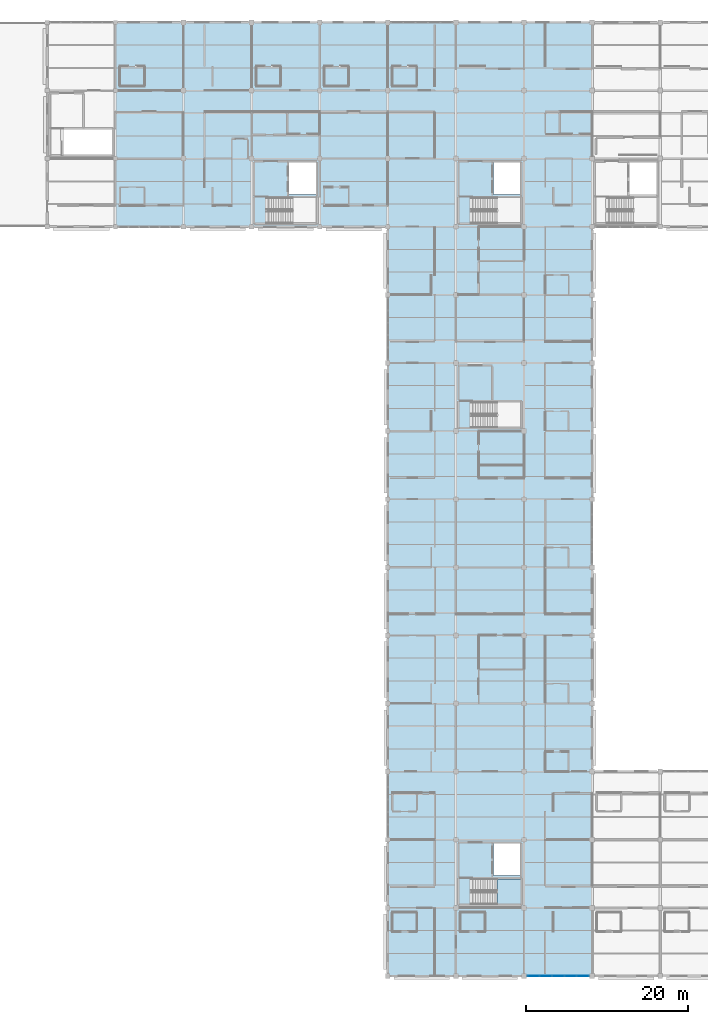
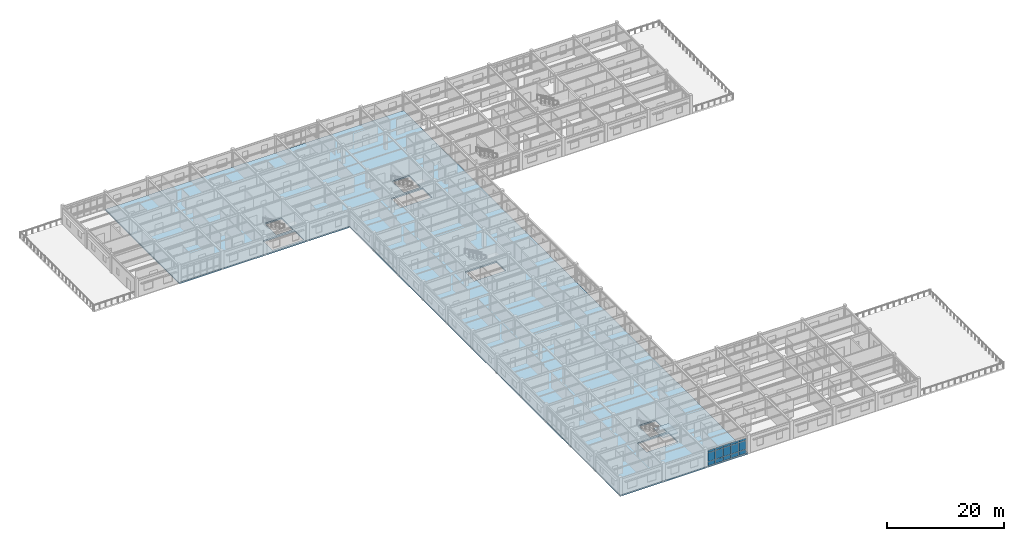
# One storey, part 38 of 70: 15 plates, 2 slabs, 2 elements without a shape of their own.
"""IFC4 building model written with IfcOpenShell, lengths in metres."""

import ifcopenshell
import ifcopenshell.guid

model = None  # the IFC model being written
_history = None  # IfcOwnerHistory: only IFC2X3 demands one
_inside = {}  # id of a spatial element -> (the spatial element, [elements in it])
_under = {}  # id of a project, library or spatial element -> (it, [spatial elements below it])
_declared = {}  # id of a project -> (the project, [libraries it declares])
_typed = {}  # id of a type object -> (the type object, [elements of that type])
_made_of = {}  # id of a material, layer set ... -> (it, [elements and type objects made of it])


def new_model(schema):
    """Start an empty IFC model of exactly this schema.

    Asked for "IFC4X3", IfcOpenShell would pick the latest addendum, in which some entities
    have other attributes; the version numbers below select the first issue.
    IFC2X3 requires an IfcOwnerHistory on every rooted entity: one is made here for all.
    """
    global model, _history
    if schema == "IFC4X3":
        model = ifcopenshell.file(schema_version=(4, 3, 0, 0))
    else:
        model = ifcopenshell.file(schema=schema)
    _inside.clear()
    _under.clear()
    _declared.clear()
    _typed.clear()
    _made_of.clear()
    _history = None
    if model.schema == "IFC2X3":
        org = make("IfcOrganization", Name="unknown")
        user = make(
            "IfcPersonAndOrganization",
            ThePerson=make("IfcPerson", FamilyName="unknown"),
            TheOrganization=org,
        )
        app = make(
            "IfcApplication",
            ApplicationDeveloper=org,
            Version="unknown",
            ApplicationFullName="unknown",
            ApplicationIdentifier="unknown",
        )
        _history = make(
            "IfcOwnerHistory",
            OwningUser=user,
            OwningApplication=app,
            ChangeAction="ADDED",
            CreationDate=0,
        )
    return model


def make(cls, **values):
    """One entity of the class cls with the attributes given. An attribute that is None is left unset."""
    return model.create_entity(
        cls, **{name: value for name, value in values.items() if value is not None}
    )


def rooted(cls, **values):
    """An entity with a GlobalId (a new one), such as an element, a storey or a relation."""
    return make(cls, GlobalId=ifcopenshell.guid.new(), OwnerHistory=_history, **values)


def si_unit(unit_type, name, prefix=None):
    """IfcSIUnit, for example si_unit("LENGTHUNIT", "METRE", prefix="MILLI")."""
    return make("IfcSIUnit", UnitType=unit_type, Prefix=prefix, Name=name)


def assignment(units):
    """IfcUnitAssignment: the units of a project."""
    return None if units is None else make("IfcUnitAssignment", Units=units)


def point(xyz):
    """IfcCartesianPoint."""
    return None if xyz is None else make("IfcCartesianPoint", Coordinates=xyz)


def direction(xyz):
    """IfcDirection."""
    return None if xyz is None else make("IfcDirection", DirectionRatios=xyz)


def frame(location, z_axis=None, x_axis=None):
    """IfcAxis2Placement3D, a coordinate frame: its origin and axes. An axis left out is left unset."""
    return make(
        "IfcAxis2Placement3D",
        Location=point(location),
        Axis=direction(z_axis),
        RefDirection=direction(x_axis),
    )


def frame_2d(location, x_axis=None):
    """IfcAxis2Placement2D, a coordinate frame in the plane: its origin and x axis."""
    return make(
        "IfcAxis2Placement2D", Location=point(location), RefDirection=direction(x_axis)
    )


def origin():
    """The frame at (0, 0, 0) with its axes left unset."""
    return frame((0.0, 0.0, 0.0))


def origin_2d():
    """The frame at (0, 0) in the plane with its x axis left unset."""
    return frame_2d((0.0, 0.0))


def place(relative_to, where):
    """IfcLocalPlacement: puts the frame where relative to a parent placement (None: the world)."""
    return make(
        "IfcLocalPlacement", PlacementRelTo=relative_to, RelativePlacement=where
    )


def context(
    kind, dimensions, precision=None, world=None, true_north=None, identifier=None
):
    """IfcGeometricRepresentationContext, for example the 3D "Model" context."""
    return make(
        "IfcGeometricRepresentationContext",
        ContextIdentifier=identifier,
        ContextType=kind,
        CoordinateSpaceDimension=dimensions,
        Precision=precision,
        WorldCoordinateSystem=world,
        TrueNorth=true_north,
    )


def subcontext(parent, identifier, kind, view, scale=None):
    """IfcGeometricRepresentationSubContext, for example "Body" below "Model"."""
    return make(
        "IfcGeometricRepresentationSubContext",
        ContextIdentifier=identifier,
        ContextType=kind,
        ParentContext=parent,
        TargetScale=scale,
        TargetView=view,
    )


def project(units=None, contexts=None):
    """IfcProject with its units and contexts."""
    return rooted(
        "IfcProject",
        Name="project",
        RepresentationContexts=contexts,
        UnitsInContext=assignment(units),
    )


def spatial(cls, under=None, at=None, **own):
    """A site, building, storey or space (cls), placed at a placement, below another one or the project."""
    s = rooted(cls, ObjectPlacement=at, **own)
    if under is not None:
        _under.setdefault(under.id(), (under, []))[1].append(s)
    return s


def polyline(points):
    """IfcPolyline through the points."""
    return make("IfcPolyline", Points=[point(p) for p in points])


def profile(cls, at=None, kind="AREA", **sizes):
    """A parametric profile (cls). Its sizes go by their IFC names, for example OverallWidth=200.0."""
    return make(cls, ProfileType=kind, Position=at, **sizes)


def rectangle(**sizes):
    """IfcRectangleProfileDef."""
    return profile("IfcRectangleProfileDef", **sizes)


def outline(outer, holes=None, kind="AREA"):
    """IfcArbitraryClosedProfileDef: a profile drawn as a closed curve; with holes, ...WithVoids."""
    if holes is None:
        return make("IfcArbitraryClosedProfileDef", ProfileType=kind, OuterCurve=outer)
    return make(
        "IfcArbitraryProfileDefWithVoids",
        ProfileType=kind,
        OuterCurve=outer,
        InnerCurves=holes,
    )


def extrude(swept, where, along, depth):
    """IfcExtrudedAreaSolid: the profile swept, set in the frame where, extruded along a direction by depth."""
    return make(
        "IfcExtrudedAreaSolid",
        SweptArea=swept,
        Position=where,
        ExtrudedDirection=direction(along),
        Depth=depth,
    )


def shape(context_of_items, identifier, shape_type, items):
    """IfcShapeRepresentation: the items that make up one representation, for example the "Body"."""
    return make(
        "IfcShapeRepresentation",
        ContextOfItems=context_of_items,
        RepresentationIdentifier=identifier,
        RepresentationType=shape_type,
        Items=items,
    )


def material(Name=None, Category=None):
    """IfcMaterial."""
    return make("IfcMaterial", Name=Name, Category=Category)


def layer(
    of_material, thickness, ventilated=None, Name=None, Category=None, Priority=None
):
    """IfcMaterialLayer: one layer of a wall or slab, of a material (None: an air gap)."""
    return make(
        "IfcMaterialLayer",
        Material=of_material,
        LayerThickness=thickness,
        IsVentilated=ventilated,
        Name=Name,
        Category=Category,
        Priority=Priority,
    )


def layer_set(layers, Name=None):
    """IfcMaterialLayerSet."""
    return make("IfcMaterialLayerSet", MaterialLayers=layers, LayerSetName=Name)


def made_of(thing, what):
    """Note that an element or type object is made of a material, layer set ...; save() writes the relation."""
    if what is not None:
        _made_of.setdefault(what.id(), (what, []))[1].append(thing)
    return thing


def type_object(cls, material=None, **own):
    """A type object (cls), such as IfcWallType, which elements share."""
    return made_of(rooted(cls, **own), material)


def element(
    cls,
    number,
    at=None,
    inside=None,
    cuts=None,
    type_object=None,
    material=None,
    context=None,
    identifier="Body",
    shape_type=None,
    held_by="IfcProductDefinitionShape",
    body=None,
    shapes=None,
    **own,
):
    """One element of the class cls, such as IfcWall. Its Tag is "e" and its number.

    at: its placement. inside: the storey or other place that contains it. cuts: it is an
    opening in that element (IfcRelVoidsElement). A single representation is given by context,
    identifier, shape_type and body (its items); several are given by shapes. held_by: the class
    of the entity that holds the representations. save() writes the other relations.
    """
    e = rooted(cls, Tag="e%d" % number, ObjectPlacement=at, **own)
    if body is not None:
        shapes = [shape(context, identifier, shape_type, body)]
    if shapes is not None:
        e.Representation = make(held_by, Representations=shapes)
    if inside is not None:
        _inside.setdefault(inside.id(), (inside, []))[1].append(e)
    if cuts is not None:
        rooted(
            "IfcRelVoidsElement", RelatingBuildingElement=cuts, RelatedOpeningElement=e
        )
    if type_object is not None:
        _typed.setdefault(type_object.id(), (type_object, []))[1].append(e)
    return made_of(e, material)


def aggregate(whole, parts):
    """IfcRelAggregates: a whole, such as a stair, and the parts it consists of."""
    return rooted("IfcRelAggregates", RelatingObject=whole, RelatedObjects=parts)


def save(model, path):
    """Write the relations noted so far, then the file.

    IfcRelAggregates (storeys below a building ...), IfcRelContainedInSpatialStructure (elements
    in a storey), IfcRelDefinesByType, IfcRelAssociatesMaterial and IfcRelDeclares: one each for
    every whole, place, type object, material and project.
    """
    for whole, parts in _under.values():
        aggregate(whole, parts)
    for where, things in _inside.values():
        rooted(
            "IfcRelContainedInSpatialStructure",
            RelatedElements=things,
            RelatingStructure=where,
        )
    for kind, things in _typed.values():
        rooted("IfcRelDefinesByType", RelatedObjects=things, RelatingType=kind)
    for what, things in _made_of.values():
        rooted("IfcRelAssociatesMaterial", RelatedObjects=things, RelatingMaterial=what)
    for by, libraries in _declared.values():
        rooted("IfcRelDeclares", RelatingContext=by, RelatedDefinitions=libraries)
    model.write(path)


model = new_model("IFC4")

# Units and contexts
model_context = context("Model", 3, precision=1e-05, world=origin(), true_north=direction((0.0, 1.0)))
body_context = subcontext(model_context, "Body", "Model", "MODEL_VIEW")
ifc_project = project(units=[si_unit("LENGTHUNIT", "METRE"), si_unit("AREAUNIT", "SQUARE_METRE"), si_unit("VOLUMEUNIT", "CUBIC_METRE"), si_unit("PLANEANGLEUNIT", "RADIAN"), si_unit("MASSUNIT", "GRAM", prefix="KILO")], contexts=[model_context])

# Site, building, storey
site_placement = place(None, origin())
site = spatial("IfcSite", under=ifc_project, at=site_placement, CompositionType="ELEMENT")
building_placement = place(site_placement, origin())
building = spatial("IfcBuilding", under=site, at=building_placement, Name="Bramfleet General Hospital", CompositionType="ELEMENT")
storey_placement = place(building_placement, frame((0.0, 0.0, 22.5)))
storey = spatial("IfcBuildingStorey", under=building, at=storey_placement, Name="L05", CompositionType="ELEMENT", Elevation=22.5)

# Curtain wall, plates
ifc_material_1 = material(Name="Anodised aluminium and low-E triple glazing", Category="aluminium")
ifc_layer_1 = layer(ifc_material_1, 0.179931640625, Name="CWT-CW-12")
ifc_layer_set_1 = layer_set([ifc_layer_1], Name="Anodised aluminium and low-E triple glazing")
curtain_wall_type = type_object("IfcCurtainWallType", Name="CWT-CW-12", PredefinedType="USERDEFINED", material=ifc_layer_set_1)
curtain_wall_placement = place(storey_placement, origin())
curtain_wall = element("IfcCurtainWall", 1, at=curtain_wall_placement, inside=storey, type_object=curtain_wall_type, Name="L05 Curtain Wall 210", ObjectType="Stick curtain wall", PredefinedType="USERDEFINED")
ifc_material_2 = material(Name="Low-E laminated safety glass", Category="glass")
ifc_layer_2 = layer(ifc_material_2, 0.031982421875, Name="CWP-GLZ-2")
ifc_layer_set_2 = layer_set([ifc_layer_2], Name="Low-E laminated safety glass")
plate_type = type_object("IfcPlateType", Name="CWP-GLZ-2", PredefinedType="CURTAIN_PANEL", material=ifc_layer_set_2)
plate_1_placement = place(storey_placement, frame((116.4423828125, 0.0, 0.06494140625), z_axis=(0.0, 0.0, 1.0), x_axis=(-1.0, 0.0, 0.0)))
plate_1 = element("IfcPlate", 2, at=plate_1_placement, type_object=plate_type, Name="CW-12 panel 1.1", PredefinedType="CURTAIN_PANEL", context=body_context, shape_type="SweptSolid", body=[
    extrude(rectangle(XDim=1.425048828125, YDim=0.031982421875, at=origin_2d()), origin(), (0.0, 0.0, 1.0), 0.802490234375),
])
plate_2_placement = place(storey_placement, frame((116.4423828125, 0.0, 0.9326171875), z_axis=(0.0, 0.0, 1.0), x_axis=(-1.0, 0.0, 0.0)))
plate_2 = element("IfcPlate", 3, at=plate_2_placement, type_object=plate_type, Name="CW-12 panel 1.2", PredefinedType="CURTAIN_PANEL", context=body_context, shape_type="SweptSolid", body=[
    extrude(rectangle(XDim=1.425048828125, YDim=0.031982421875, at=origin_2d()), origin(), (0.0, 0.0, 1.0), 1.794921875),
])
plate_3_placement = place(storey_placement, frame((116.4423828125, 0.0, 2.79248046875), z_axis=(0.0, 0.0, 1.0), x_axis=(-1.0, 0.0, 0.0)))
plate_3 = element("IfcPlate", 4, at=plate_3_placement, type_object=plate_type, Name="CW-12 panel 1.3", PredefinedType="CURTAIN_PANEL", context=body_context, shape_type="SweptSolid", body=[
    extrude(rectangle(XDim=1.425048828125, YDim=0.031982421875, at=origin_2d()), origin(), (0.0, 0.0, 1.0), 0.452392578125),
])
plate_4_placement = place(storey_placement, frame((114.929931640625, 0.0, 0.06494140625), z_axis=(0.0, 0.0, 1.0), x_axis=(-1.0, 0.0, 0.0)))
plate_4 = element("IfcPlate", 5, at=plate_4_placement, type_object=plate_type, Name="CW-12 panel 2.1", PredefinedType="CURTAIN_PANEL", context=body_context, shape_type="SweptSolid", body=[
    extrude(rectangle(XDim=1.4599609375, YDim=0.031982421875, at=origin_2d()), origin(), (0.0, 0.0, 1.0), 0.802490234375),
])
plate_5_placement = place(storey_placement, frame((114.929931640625, 0.0, 0.9326171875), z_axis=(0.0, 0.0, 1.0), x_axis=(-1.0, 0.0, 0.0)))
plate_5 = element("IfcPlate", 6, at=plate_5_placement, type_object=plate_type, Name="CW-12 panel 2.2", PredefinedType="CURTAIN_PANEL", context=body_context, shape_type="SweptSolid", body=[
    extrude(rectangle(XDim=1.4599609375, YDim=0.031982421875, at=origin_2d()), origin(), (0.0, 0.0, 1.0), 1.794921875),
])
plate_6_placement = place(storey_placement, frame((114.929931640625, 0.0, 2.79248046875), z_axis=(0.0, 0.0, 1.0), x_axis=(-1.0, 0.0, 0.0)))
plate_6 = element("IfcPlate", 7, at=plate_6_placement, type_object=plate_type, Name="CW-12 panel 2.3", PredefinedType="CURTAIN_PANEL", context=body_context, shape_type="SweptSolid", body=[
    extrude(rectangle(XDim=1.4599609375, YDim=0.031982421875, at=origin_2d()), origin(), (0.0, 0.0, 1.0), 0.452392578125),
])
plate_7_placement = place(storey_placement, frame((113.39990234375, 0.0, 0.06494140625), z_axis=(0.0, 0.0, 1.0), x_axis=(-1.0, 0.0, 0.0)))
plate_7 = element("IfcPlate", 8, at=plate_7_placement, type_object=plate_type, Name="CW-12 panel 3.1", PredefinedType="CURTAIN_PANEL", context=body_context, shape_type="SweptSolid", body=[
    extrude(rectangle(XDim=1.4599609375, YDim=0.031982421875, at=origin_2d()), origin(), (0.0, 0.0, 1.0), 0.802490234375),
])
plate_8_placement = place(storey_placement, frame((113.39990234375, 0.0, 0.9326171875), z_axis=(0.0, 0.0, 1.0), x_axis=(-1.0, 0.0, 0.0)))
plate_8 = element("IfcPlate", 9, at=plate_8_placement, type_object=plate_type, Name="CW-12 panel 3.2", PredefinedType="CURTAIN_PANEL", context=body_context, shape_type="SweptSolid", body=[
    extrude(rectangle(XDim=1.4599609375, YDim=0.031982421875, at=origin_2d()), origin(), (0.0, 0.0, 1.0), 1.794921875),
])
plate_9_placement = place(storey_placement, frame((113.39990234375, 0.0, 2.79248046875), z_axis=(0.0, 0.0, 1.0), x_axis=(-1.0, 0.0, 0.0)))
plate_9 = element("IfcPlate", 10, at=plate_9_placement, type_object=plate_type, Name="CW-12 panel 3.3", PredefinedType="CURTAIN_PANEL", context=body_context, shape_type="SweptSolid", body=[
    extrude(rectangle(XDim=1.4599609375, YDim=0.031982421875, at=origin_2d()), origin(), (0.0, 0.0, 1.0), 0.452392578125),
])
plate_10_placement = place(storey_placement, frame((111.8701171875, 0.0, 0.06494140625), z_axis=(0.0, 0.0, 1.0), x_axis=(-1.0, 0.0, 0.0)))
plate_10 = element("IfcPlate", 11, at=plate_10_placement, type_object=plate_type, Name="CW-12 panel 4.1", PredefinedType="CURTAIN_PANEL", context=body_context, shape_type="SweptSolid", body=[
    extrude(rectangle(XDim=1.4599609375, YDim=0.031982421875, at=origin_2d()), origin(), (0.0, 0.0, 1.0), 0.802490234375),
])
plate_11_placement = place(storey_placement, frame((111.8701171875, 0.0, 0.9326171875), z_axis=(0.0, 0.0, 1.0), x_axis=(-1.0, 0.0, 0.0)))
plate_11 = element("IfcPlate", 12, at=plate_11_placement, type_object=plate_type, Name="CW-12 panel 4.2", PredefinedType="CURTAIN_PANEL", context=body_context, shape_type="SweptSolid", body=[
    extrude(rectangle(XDim=1.4599609375, YDim=0.031982421875, at=origin_2d()), origin(), (0.0, 0.0, 1.0), 1.794921875),
])
plate_12_placement = place(storey_placement, frame((111.8701171875, 0.0, 2.79248046875), z_axis=(0.0, 0.0, 1.0), x_axis=(-1.0, 0.0, 0.0)))
plate_12 = element("IfcPlate", 13, at=plate_12_placement, type_object=plate_type, Name="CW-12 panel 4.3", PredefinedType="CURTAIN_PANEL", context=body_context, shape_type="SweptSolid", body=[
    extrude(rectangle(XDim=1.4599609375, YDim=0.031982421875, at=origin_2d()), origin(), (0.0, 0.0, 1.0), 0.452392578125),
])
plate_13_placement = place(storey_placement, frame((110.357421875, 0.0, 0.06494140625), z_axis=(0.0, 0.0, 1.0), x_axis=(-1.0, 0.0, 0.0)))
plate_13 = element("IfcPlate", 14, at=plate_13_placement, type_object=plate_type, Name="CW-12 panel 5.1", PredefinedType="CURTAIN_PANEL", context=body_context, shape_type="SweptSolid", body=[
    extrude(rectangle(XDim=1.425048828125, YDim=0.031982421875, at=origin_2d()), origin(), (0.0, 0.0, 1.0), 0.802490234375),
])
plate_14_placement = place(storey_placement, frame((110.357421875, 0.0, 0.9326171875), z_axis=(0.0, 0.0, 1.0), x_axis=(-1.0, 0.0, 0.0)))
plate_14 = element("IfcPlate", 15, at=plate_14_placement, type_object=plate_type, Name="CW-12 panel 5.2", PredefinedType="CURTAIN_PANEL", context=body_context, shape_type="SweptSolid", body=[
    extrude(rectangle(XDim=1.425048828125, YDim=0.031982421875, at=origin_2d()), origin(), (0.0, 0.0, 1.0), 1.794921875),
])
plate_15_placement = place(storey_placement, frame((110.357421875, 0.0, 2.79248046875), z_axis=(0.0, 0.0, 1.0), x_axis=(-1.0, 0.0, 0.0)))
plate_15 = element("IfcPlate", 16, at=plate_15_placement, type_object=plate_type, Name="CW-12 panel 5.3", PredefinedType="CURTAIN_PANEL", context=body_context, shape_type="SweptSolid", body=[
    extrude(rectangle(XDim=1.425048828125, YDim=0.031982421875, at=origin_2d()), origin(), (0.0, 0.0, 1.0), 0.452392578125),
])
aggregate(curtain_wall, [plate_1, plate_2, plate_3, plate_4, plate_5, plate_6, plate_7, plate_8, plate_9, plate_10, plate_11, plate_12, plate_13, plate_14, plate_15])

# Slab
ifc_material_3 = material(Name="Concrete C35/45", Category="concrete")
ifc_layer_3 = layer(ifc_material_3, 0.280029296875, Name="SL-FLR-280")
ifc_layer_set_3 = layer_set([ifc_layer_3], Name="Concrete C35/45")
slab_type_1 = type_object("IfcSlabType", Name="SL-FLR-280", PredefinedType="FLOOR", material=ifc_layer_set_3)
slab_1_placement = place(storey_placement, frame((0.0, 0.0, -0.280029296875)))
element("IfcSlab", 17, at=slab_1_placement, inside=storey, type_object=slab_type_1, Name="L05 Structural Floor Slab (CENTRE)", PredefinedType="FLOOR", context=body_context, shape_type="SweptSolid", body=[
    extrude(outline(polyline([(92.39990234375, 50.39990234375), (92.39990234375, 58.800048828125), (92.39990234375, 67.199951171875), (92.39990234375, 75.60009765625), (92.39990234375, 84.0), (92.39990234375, 92.39990234375), (84.0, 92.39990234375), (75.60009765625, 92.39990234375), (67.199951171875, 92.39990234375), (58.800048828125, 92.39990234375), (58.800048828125, 117.60009765625), (67.199951171875, 117.60009765625), (75.60009765625, 117.60009765625), (84.0, 117.60009765625), (92.39990234375, 117.60009765625), (100.800048828125, 117.60009765625), (109.199951171875, 117.60009765625), (117.60009765625, 117.60009765625), (117.60009765625, 92.39990234375), (117.60009765625, 84.0), (117.60009765625, 75.60009765625), (117.60009765625, 67.199951171875), (117.60009765625, 58.800048828125), (117.60009765625, 50.39990234375), (117.60009765625, 42.0), (117.60009765625, 33.60009765625), (117.60009765625, 25.199951171875), (117.60009765625, 0.0), (109.199951171875, 0.0), (100.800048828125, 0.0), (92.39990234375, 0.0), (92.39990234375, 8.39990234375), (92.39990234375, 16.800048828125), (92.39990234375, 25.199951171875), (92.39990234375, 33.60009765625), (92.39990234375, 42.0), (92.39990234375, 50.39990234375)]), holes=[polyline([(102.639892578125, 8.820068359375), (108.860107421875, 8.820068359375), (108.860107421875, 11.97998046875), (102.639892578125, 11.97998046875), (102.639892578125, 8.820068359375)]), polyline([(105.419921875, 12.39990234375), (108.75, 12.39990234375), (108.75, 16.35009765625), (105.419921875, 16.35009765625), (105.419921875, 12.39990234375)]), polyline([(102.639892578125, 92.820068359375), (108.860107421875, 92.820068359375), (108.860107421875, 95.97998046875), (102.639892578125, 95.97998046875), (102.639892578125, 92.820068359375)]), polyline([(105.419921875, 96.39990234375), (108.75, 96.39990234375), (108.75, 100.35009765625), (105.419921875, 100.35009765625), (105.419921875, 96.39990234375)]), polyline([(77.43994140625, 92.820068359375), (83.659912109375, 92.820068359375), (83.659912109375, 95.97998046875), (77.43994140625, 95.97998046875), (77.43994140625, 92.820068359375)]), polyline([(80.219970703125, 96.39990234375), (83.550048828125, 96.39990234375), (83.550048828125, 100.35009765625), (80.219970703125, 100.35009765625), (80.219970703125, 96.39990234375)]), polyline([(102.639892578125, 67.6201171875), (108.860107421875, 67.6201171875), (108.860107421875, 70.780029296875), (102.639892578125, 70.780029296875), (102.639892578125, 67.6201171875)])]), origin(), (0.0, 0.0, 1.0), 0.280029296875),
])

# Stair, slab
stair_type = type_object("IfcStairType", Name="STR-T4", PredefinedType="HALF_TURN_STAIR", material=ifc_material_3)
stair_placement = place(storey_placement, origin())
stair = element("IfcStair", 18, at=stair_placement, inside=storey, type_object=stair_type, Name="L05 Core C3 (South Ward Wing) Protected Escape Stair", PredefinedType="HALF_TURN_STAIR")
ifc_layer_4 = layer(ifc_material_3, 0.199951171875, Name="SL-LND-200")
ifc_layer_set_4 = layer_set([ifc_layer_4], Name="Concrete C35/45")
slab_type_2 = type_object("IfcSlabType", Name="SL-LND-200", PredefinedType="LANDING", material=ifc_layer_set_4)
slab_2_placement = place(storey_placement, frame((0.0, 0.0, 1.75)))
slab_2 = element("IfcSlab", 19, at=slab_2_placement, type_object=slab_type_2, Name="ST-C3 landing 1", PredefinedType="LANDING", context=body_context, shape_type="SweptSolid", body=[
    extrude(outline(polyline([(105.885009765625, 8.820068359375), (108.860107421875, 8.820068359375), (108.860107421875, 11.97998046875), (105.885009765625, 11.97998046875), (105.885009765625, 8.820068359375)])), origin(), (0.0, 0.0, 1.0), 0.199951171875),
])
aggregate(stair, [slab_2])

save(model, "model.ifc")
